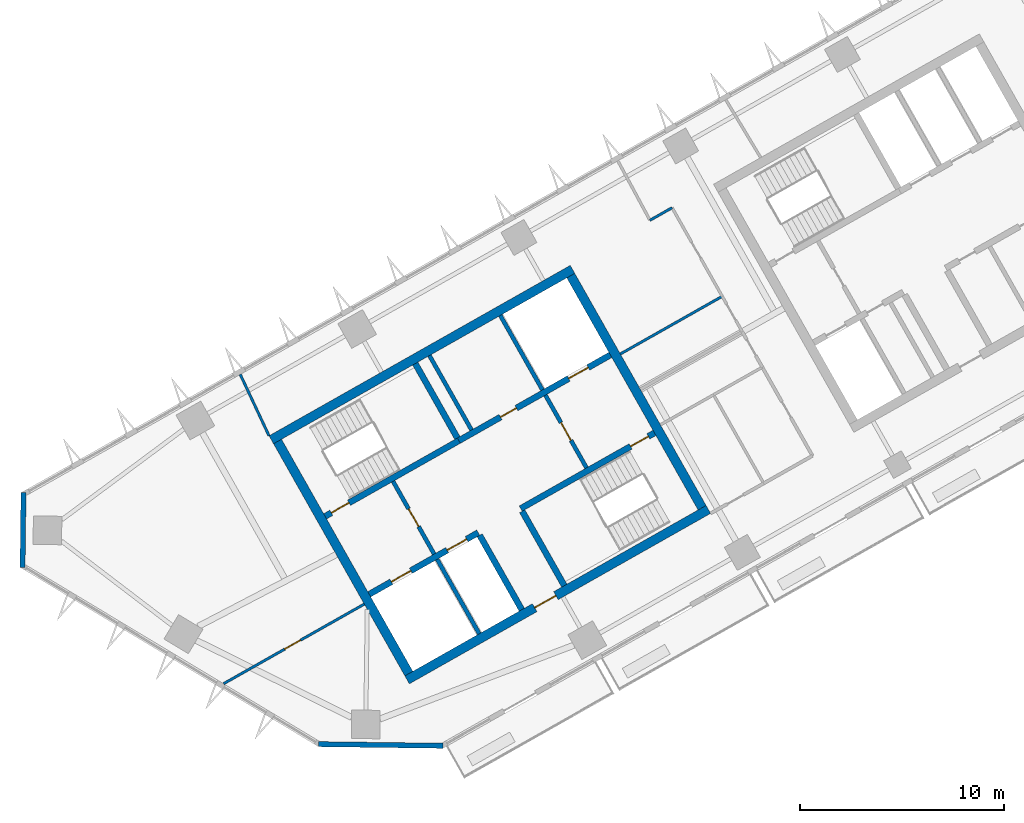
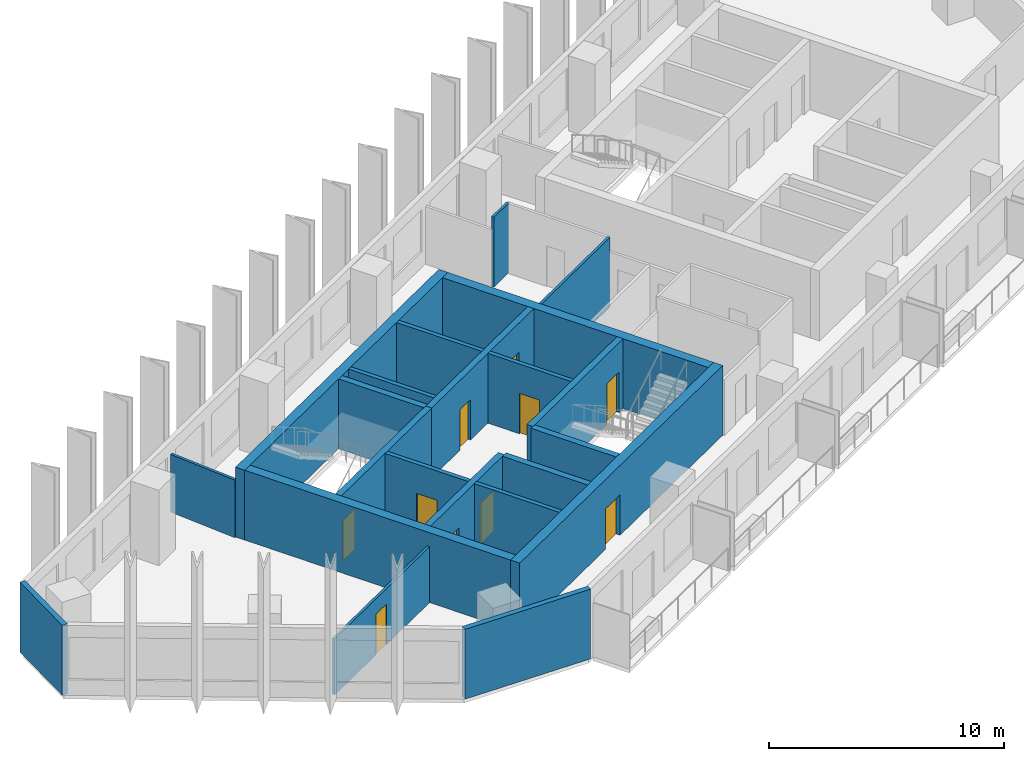
# One storey, part 3 of 12: 22 walls, 10 doors, 10 openings.
"""IFC4 building model written with IfcOpenShell, lengths in metres."""

from ifc_helpers import new_model, si_unit, direction, frame, frame_2d, origin, place, context, subcontext, project, spatial, rectangle, extrude, material, layer, layer_set, type_object, element, fill, save


model = new_model("IFC4")

# Units and contexts
model_context = context("Model", 3, precision=1e-05, world=origin(), true_north=direction((0.0, 1.0)))
body_context = subcontext(model_context, "Body", "Model", "MODEL_VIEW")
ifc_project = project(units=[si_unit("LENGTHUNIT", "METRE"), si_unit("AREAUNIT", "SQUARE_METRE"), si_unit("VOLUMEUNIT", "CUBIC_METRE"), si_unit("PLANEANGLEUNIT", "RADIAN"), si_unit("MASSUNIT", "GRAM", prefix="KILO")], contexts=[model_context])

# Site, building, storey
site_placement = place(None, origin())
site = spatial("IfcSite", under=ifc_project, at=site_placement, CompositionType="ELEMENT")
building_placement = place(site_placement, origin())
building = spatial("IfcBuilding", under=site, at=building_placement, Name="Binnacle Exchange Tower", CompositionType="ELEMENT")
storey_placement = place(building_placement, frame((0.0, 0.0, 215.300048828125)))
storey = spatial("IfcBuildingStorey", under=building, at=storey_placement, Name="L47", CompositionType="ELEMENT", Elevation=215.300048828125)

# Wall, openings, doors
ifc_material_1 = material(Name="Concrete C70/85", Category="concrete")
ifc_layer_1 = layer(ifc_material_1, 0.300048828125)
ifc_layer_set_1 = layer_set([ifc_layer_1], Name="Core wall - front 300")
wall_type_1 = type_object("IfcWallType", Name="Core wall - front 300", PredefinedType="SOLIDWALL", material=ifc_layer_set_1)
wall_1_placement = place(storey_placement, frame((-41.6865234375, 33.88720703125, 0.0), z_axis=(0.0, 0.0, 1.0), x_axis=(0.870355736587, 0.49242348826, 0.0)))
wall_1 = element("IfcWall", 1, at=wall_1_placement, inside=storey, type_object=wall_type_1, Name="Core wall CRWA2", PredefinedType="SOLIDWALL", context=body_context, shape_type="SweptSolid", body=[
    extrude(rectangle(XDim=6.14990234375, YDim=0.300048828125, at=frame_2d((3.074951171875, 0.0))), origin(), (0.0, 0.0, 1.0), 3.619873046875),
])
opening_1_placement = place(wall_1_placement, frame((1.25, 0.0, 0.0)))
opening_1 = element("IfcOpeningElement", 2, at=opening_1_placement, cuts=wall_1, Name="Opening LD12", PredefinedType="OPENING", context=body_context, shape_type="SweptSolid", body=[
    extrude(rectangle(XDim=1.10009765625, YDim=2.10009765625, at=frame_2d((0.550048828125, 1.050048828125))), frame((0.0, 0.159912109375, 0.0), z_axis=(0.0, -1.0, 0.0), x_axis=(1.0, 0.0, 0.0)), (0.0, 0.0, 1.0), 0.320068359375),
])
opening_2_placement = place(wall_1_placement, frame((4.39990234375, 0.0, 0.0)))
opening_2 = element("IfcOpeningElement", 3, at=opening_2_placement, cuts=wall_1, Name="Opening LD8", PredefinedType="OPENING", context=body_context, shape_type="SweptSolid", body=[
    extrude(rectangle(XDim=1.10009765625, YDim=2.10009765625, at=frame_2d((0.550048828125, 1.050048828125))), frame((0.0, 0.159912109375, 0.0), z_axis=(0.0, -1.0, 0.0), x_axis=(1.0, 0.0, 0.0)), (0.0, 0.0, 1.0), 0.320068359375),
])
ifc_material_2 = material(Name="Steel door leaf", Category="steel")
door_type_1 = type_object("IfcDoorType", Name="Fire door - lift landing 1100", OperationType="NOTDEFINED", PredefinedType="DOOR", material=ifc_material_2)
door_1_placement = place(opening_1_placement, origin())
door_1 = element("IfcDoor", 4, at=door_1_placement, inside=storey, type_object=door_type_1, Name="Landing door LD12 L47", OperationType="DOUBLE_DOOR_SLIDING", OverallHeight=2.10009765625, OverallWidth=1.10009765625, PredefinedType="DOOR", context=body_context, shape_type="SweptSolid", body=[
    extrude(rectangle(XDim=1.10009765625, YDim=2.10009765625, at=frame_2d((0.550048828125, 1.050048828125))), frame((0.0, 0.02490234375, 0.0), z_axis=(0.0, -1.0, 0.0), x_axis=(1.0, 0.0, 0.0)), (0.0, 0.0, 1.0), 0.050048828125),
])
fill(opening_1, door_1)
door_2_placement = place(opening_2_placement, origin())
door_2 = element("IfcDoor", 5, at=door_2_placement, inside=storey, type_object=door_type_1, Name="Landing door LD8 L47", OperationType="DOUBLE_DOOR_SLIDING", OverallHeight=2.10009765625, OverallWidth=1.10009765625, PredefinedType="DOOR", context=body_context, shape_type="SweptSolid", body=[
    extrude(rectangle(XDim=1.10009765625, YDim=2.10009765625, at=frame_2d((0.550048828125, 1.050048828125))), frame((0.0, 0.02490234375, 0.0), z_axis=(0.0, -1.0, 0.0), x_axis=(1.0, 0.0, 0.0)), (0.0, 0.0, 1.0), 0.050048828125),
])
fill(opening_2, door_2)

wall_2_placement = place(storey_placement, frame((-37.281982421875, 41.4345703125, 0.0), z_axis=(0.0, 0.0, 1.0), x_axis=(0.870352688754, 0.492428875248, 0.0)))
wall_2 = element("IfcWall", 6, at=wall_2_placement, inside=storey, type_object=wall_type_1, Name="Core wall CRWA5", PredefinedType="SOLIDWALL", context=body_context, shape_type="SweptSolid", body=[
    extrude(rectangle(XDim=8.5498046875, YDim=0.300048828125, at=frame_2d((4.27490234375, 0.0))), origin(), (0.0, 0.0, 1.0), 3.619873046875),
])
opening_3_placement = place(wall_2_placement, frame((6.199951171875, 0.0, 0.0)))
opening_3 = element("IfcOpeningElement", 7, at=opening_3_placement, cuts=wall_2, Name="Opening LD13", PredefinedType="OPENING", context=body_context, shape_type="SweptSolid", body=[
    extrude(rectangle(XDim=1.10009765625, YDim=2.10009765625, at=frame_2d((0.550048828125, 1.050048828125))), frame((0.0, 0.159912109375, 0.0), z_axis=(0.0, -1.0, 0.0), x_axis=(1.0, 0.0, 0.0)), (0.0, 0.0, 1.0), 0.320068359375),
])
opening_4_placement = place(wall_2_placement, frame((2.35009765625, 0.0, 0.0)))
opening_4 = element("IfcOpeningElement", 8, at=opening_4_placement, cuts=wall_2, Name="Opening DA10", PredefinedType="OPENING", context=body_context, shape_type="SweptSolid", body=[
    extrude(rectangle(XDim=0.89990234375, YDim=2.10009765625, at=frame_2d((0.449951171875, 1.050048828125))), frame((0.0, 0.159912109375, 0.0), z_axis=(0.0, -1.0, 0.0), x_axis=(1.0, 0.0, 0.0)), (0.0, 0.0, 1.0), 0.320068359375),
])
door_3_placement = place(opening_3_placement, origin())
door_3 = element("IfcDoor", 9, at=door_3_placement, inside=storey, type_object=door_type_1, Name="Landing door LD13 L47", OperationType="DOUBLE_DOOR_SLIDING", OverallHeight=2.10009765625, OverallWidth=1.10009765625, PredefinedType="DOOR", context=body_context, shape_type="SweptSolid", body=[
    extrude(rectangle(XDim=1.10009765625, YDim=2.10009765625, at=frame_2d((0.550048828125, 1.050048828125))), frame((0.0, 0.02490234375, 0.0), z_axis=(0.0, -1.0, 0.0), x_axis=(1.0, 0.0, 0.0)), (0.0, 0.0, 1.0), 0.050048828125),
])
fill(opening_3, door_3)
door_type_2 = type_object("IfcDoorType", Name="Fire door 900", OperationType="NOTDEFINED", PredefinedType="DOOR", material=ifc_material_2)
door_4_placement = place(opening_4_placement, origin())
door_4 = element("IfcDoor", 10, at=door_4_placement, inside=storey, type_object=door_type_2, Name="Core room door EQUIPMENT STORE", OperationType="SINGLE_SWING_LEFT", OverallHeight=2.10009765625, OverallWidth=0.89990234375, PredefinedType="DOOR", context=body_context, shape_type="SweptSolid", body=[
    extrude(rectangle(XDim=0.89990234375, YDim=2.10009765625, at=frame_2d((0.449951171875, 1.050048828125))), frame((0.0, 0.02490234375, 0.0), z_axis=(0.0, -1.0, 0.0), x_axis=(1.0, 0.0, 0.0)), (0.0, 0.0, 1.0), 0.050048828125),
])
fill(opening_4, door_4)

# Wall
wall_3_placement = place(storey_placement, frame((-36.260009765625, 36.784912109375, 0.0), z_axis=(0.0, 0.0, 1.0), x_axis=(0.492409653846, -0.870363563575, 0.0)))
element("IfcWall", 11, at=wall_3_placement, inside=storey, type_object=wall_type_1, Name="Core wall CRWA13", PredefinedType="SOLIDWALL", context=body_context, shape_type="SweptSolid", body=[
    extrude(rectangle(XDim=4.199951171875, YDim=0.300048828125, at=frame_2d((2.10009765625, 0.0))), origin(), (0.0, 0.0, 1.0), 3.619873046875),
])

# Wall, opening, door
ifc_layer_2 = layer(ifc_material_1, 0.449951171875)
ifc_layer_set_2 = layer_set([ifc_layer_2], Name="Core wall - outer 450")
wall_type_2 = type_object("IfcWallType", Name="Core wall - outer 450", PredefinedType="SOLIDWALL", material=ifc_layer_set_2)
wall_4_placement = place(storey_placement, frame((-39.825439453125, 29.68359375, 0.0), z_axis=(0.0, 0.0, 1.0), x_axis=(0.870353598469, 0.492427267353, 0.0)))
wall_4 = element("IfcWall", 12, at=wall_4_placement, inside=storey, type_object=wall_type_2, Name="Core wall CRWA1", PredefinedType="SOLIDWALL", context=body_context, shape_type="SweptSolid", body=[
    extrude(rectangle(XDim=17.000244140625, YDim=0.449951171875, at=frame_2d((8.5, 0.0))), origin(), (0.0, 0.0, 1.0), 3.619873046875),
])
opening_5_placement = place(wall_4_placement, frame((7.199951171875, 0.0, 0.0)))
opening_5 = element("IfcOpeningElement", 13, at=opening_5_placement, cuts=wall_4, Name="Opening DA7", PredefinedType="OPENING", context=body_context, shape_type="SweptSolid", body=[
    extrude(rectangle(XDim=1.199951171875, YDim=2.10009765625, at=frame_2d((0.60009765625, 1.050048828125))), frame((0.0, 0.23486328125, 0.0), z_axis=(0.0, -1.0, 0.0), x_axis=(1.0, 0.0, 0.0)), (0.0, 0.0, 1.0), 0.469970703125),
])
door_type_3 = type_object("IfcDoorType", Name="Fire door 1200", OperationType="NOTDEFINED", PredefinedType="DOOR", material=ifc_material_2)
door_5_placement = place(opening_5_placement, frame((1.199951171875, 0.0, 0.0), z_axis=(0.0, 0.0, 1.0), x_axis=(-1.0, 0.0, 0.0)))
door_5 = element("IfcDoor", 14, at=door_5_placement, inside=storey, type_object=door_type_3, Name="Lift lobby entrance door core A", OperationType="SINGLE_SWING_RIGHT", OverallHeight=2.10009765625, OverallWidth=1.199951171875, PredefinedType="DOOR", context=body_context, shape_type="SweptSolid", body=[
    extrude(rectangle(XDim=1.199951171875, YDim=2.10009765625, at=frame_2d((0.60009765625, 1.050048828125))), frame((0.0, 0.02490234375, 0.0), z_axis=(0.0, -1.0, 0.0), x_axis=(1.0, 0.0, 0.0)), (0.0, 0.0, 1.0), 0.050048828125),
])
fill(opening_5, door_5)

# Walls
wall_5_placement = place(storey_placement, frame((-46.497802734375, 41.47705078125, 0.0), z_axis=(0.0, 0.0, 1.0), x_axis=(0.870359753402, 0.492416388494, 0.0)))
element("IfcWall", 15, at=wall_5_placement, inside=storey, type_object=wall_type_2, Name="Core wall CRWA6", PredefinedType="SOLIDWALL", context=body_context, shape_type="SweptSolid", body=[
    extrude(rectangle(XDim=17.0, YDim=0.449951171875, at=frame_2d((8.5, 0.0))), origin(), (0.0, 0.0, 1.0), 3.619873046875),
])
for number, where, z_axis, x_axis, name in (
    (16, (-46.191162109375, 41.391845703125, 0.0), (0.0, 0.0, 1.0), (0.492421378713, -0.870356930107, 0.0), "Core wall CRWA7"),
    (17, (-31.78662109375, 49.54150390625, 0.0), (0.0, 0.0, 1.0), (0.492421378713, -0.870356930107, 0.0), "Core wall CRWA22"),
):
    element("IfcWall", number, at=place(storey_placement, frame(where, z_axis=z_axis, x_axis=x_axis)), inside=storey, type_object=wall_type_2, Name=name, PredefinedType="SOLIDWALL", context=body_context, shape_type="SweptSolid", body=[
        extrude(rectangle(XDim=13.099853515625, YDim=0.449951171875, at=frame_2d((6.5498046875, 0.0))), origin(), (0.0, 0.0, 1.0), 3.619873046875),
    ])

# Wall, opening, door
ifc_layer_3 = layer(ifc_material_1, 0.300048828125)
ifc_layer_set_3 = layer_set([ifc_layer_3], Name="Core wall - stair 300")
wall_type_3 = type_object("IfcWallType", Name="Core wall - stair 300", PredefinedType="SOLIDWALL", material=ifc_layer_set_3)
wall_6_placement = place(storey_placement, frame((-34.2451171875, 38.097412109375, 0.0), z_axis=(0.0, 0.0, 1.0), x_axis=(0.870360409231, 0.492415229297, 0.0)))
wall_6 = element("IfcWall", 18, at=wall_6_placement, inside=storey, type_object=wall_type_3, Name="Core wall CRWA3", PredefinedType="SOLIDWALL", context=body_context, shape_type="SweptSolid", body=[
    extrude(rectangle(XDim=7.550048828125, YDim=0.300048828125, at=frame_2d((3.77490234375, 0.0))), origin(), (0.0, 0.0, 1.0), 3.619873046875),
])
opening_6_placement = place(wall_6_placement, frame((6.199951171875, 0.0, 0.0)))
opening_6 = element("IfcOpeningElement", 19, at=opening_6_placement, cuts=wall_6, Name="Opening DA2", PredefinedType="OPENING", context=body_context, shape_type="SweptSolid", body=[
    extrude(rectangle(XDim=1.0, YDim=2.10009765625, at=frame_2d((0.5, 1.050048828125))), frame((0.0, 0.159912109375, 0.0), z_axis=(0.0, -1.0, 0.0), x_axis=(1.0, 0.0, 0.0)), (0.0, 0.0, 1.0), 0.320068359375),
])
door_type_4 = type_object("IfcDoorType", Name="Fire door 1000", OperationType="NOTDEFINED", PredefinedType="DOOR", material=ifc_material_2)
door_6_placement = place(opening_6_placement, frame((1.0, 0.0, 0.0), z_axis=(0.0, 0.0, 1.0), x_axis=(-1.0, 0.0, 0.0)))
door_6 = element("IfcDoor", 20, at=door_6_placement, inside=storey, type_object=door_type_4, Name="Stair door ST-A2", OperationType="SINGLE_SWING_LEFT", OverallHeight=2.10009765625, OverallWidth=1.0, PredefinedType="DOOR", context=body_context, shape_type="SweptSolid", body=[
    extrude(rectangle(XDim=1.0, YDim=2.10009765625, at=frame_2d((0.5, 1.050048828125))), frame((0.0, 0.02490234375, 0.0), z_axis=(0.0, -1.0, 0.0), x_axis=(1.0, 0.0, 0.0)), (0.0, 0.0, 1.0), 0.050048828125),
])
fill(opening_6, door_6)

wall_7_placement = place(storey_placement, frame((-43.853271484375, 37.716796875, 0.0), z_axis=(0.0, 0.0, 1.0), x_axis=(0.870360409231, 0.492415229297, 0.0)))
wall_7 = element("IfcWall", 21, at=wall_7_placement, inside=storey, type_object=wall_type_3, Name="Core wall CRWA4", PredefinedType="SOLIDWALL", context=body_context, shape_type="SweptSolid", body=[
    extrude(rectangle(XDim=7.550048828125, YDim=0.300048828125, at=frame_2d((3.77490234375, 0.0))), origin(), (0.0, 0.0, 1.0), 3.619873046875),
])
opening_7_placement = place(wall_7_placement, frame((0.35009765625, 0.0, 0.0)))
opening_7 = element("IfcOpeningElement", 22, at=opening_7_placement, cuts=wall_7, Name="Opening DA1", PredefinedType="OPENING", context=body_context, shape_type="SweptSolid", body=[
    extrude(rectangle(XDim=1.0, YDim=2.10009765625, at=frame_2d((0.5, 1.050048828125))), frame((0.0, 0.159912109375, 0.0), z_axis=(0.0, -1.0, 0.0), x_axis=(1.0, 0.0, 0.0)), (0.0, 0.0, 1.0), 0.320068359375),
])
door_7_placement = place(opening_7_placement, origin())
door_7 = element("IfcDoor", 23, at=door_7_placement, inside=storey, type_object=door_type_4, Name="Stair door ST-A1", OperationType="SINGLE_SWING_LEFT", OverallHeight=2.10009765625, OverallWidth=1.0, PredefinedType="DOOR", context=body_context, shape_type="SweptSolid", body=[
    extrude(rectangle(XDim=1.0, YDim=2.10009765625, at=frame_2d((0.5, 1.050048828125))), frame((0.0, 0.02490234375, 0.0), z_axis=(0.0, -1.0, 0.0), x_axis=(1.0, 0.0, 0.0)), (0.0, 0.0, 1.0), 0.050048828125),
])
fill(opening_7, door_7)

# Walls
for number, where, z_axis, x_axis, name in (
    (24, (-39.424072265625, 45.220458984375, 0.0), (0.0, 0.0, 1.0), (0.492409653846, -0.870363563575, 0.0), "Core wall CRWA14"),
    (25, (-34.171142578125, 37.966796875, 0.0), (0.0, 0.0, 1.0), (0.492409653846, -0.870363563575, 0.0), "Core wall CRWA16"),
):
    element("IfcWall", number, at=place(storey_placement, frame(where, z_axis=z_axis, x_axis=x_axis)), inside=storey, type_object=wall_type_3, Name=name, PredefinedType="SOLIDWALL", context=body_context, shape_type="SweptSolid", body=[
        extrude(rectangle(XDim=4.199951171875, YDim=0.300048828125, at=frame_2d((2.10009765625, 0.0))), origin(), (0.0, 0.0, 1.0), 3.619873046875),
    ])
ifc_material_3 = material(Name="Bronze aluminium cladding", Category="aluminium")
ifc_layer_4 = layer(ifc_material_3, 0.25)
ifc_layer_set_4 = layer_set([ifc_layer_4], Name="External wall - window wall 250")
wall_type_4 = type_object("IfcWallType", Name="External wall - window wall 250", PredefinedType="STANDARD", material=ifc_layer_set_4)
wall_8_placement = place(storey_placement, frame((-38.06396484375, 26.44482421875, 0.0), z_axis=(0.0, 0.0, 1.0), x_axis=(-0.999914239143, 0.013096349097, 0.0)))
element("IfcWall", 26, at=wall_8_placement, inside=storey, type_object=wall_type_4, Name="External wall EW-G00 L47", PredefinedType="STANDARD", context=body_context, shape_type="SweptSolid", body=[
    extrude(rectangle(XDim=6.114501953125, YDim=0.25, at=frame_2d((3.05712890625, 0.0))), origin(), (0.0, 0.0, 1.0), 3.619873046875),
])
wall_9_placement = place(storey_placement, frame((-58.717041015625, 35.208251953125, 0.0), z_axis=(0.0, 0.0, 1.0), x_axis=(0.01310512158, 0.999914124207, 0.0)))
element("IfcWall", 27, at=wall_9_placement, inside=storey, type_object=wall_type_4, Name="External wall EW-G09 L47", PredefinedType="STANDARD", context=body_context, shape_type="SweptSolid", body=[
    extrude(rectangle(XDim=3.669921875, YDim=0.25, at=frame_2d((1.8349609375, 0.0))), origin(), (0.0, 0.0, 1.0), 3.619873046875),
])

# Wall, opening, door
ifc_material_4 = material(Name="Masonry block wall", Category="masonry")
ifc_layer_5 = layer(ifc_material_4, 0.199951171875)
ifc_layer_set_5 = layer_set([ifc_layer_5], Name="Fire wall - vestibule 200")
wall_type_5 = type_object("IfcWallType", Name="Fire wall - vestibule 200", PredefinedType="PARTITIONING", material=ifc_layer_set_5)
wall_10_placement = place(storey_placement, frame((-40.515625, 39.4326171875, 0.0), z_axis=(0.0, 0.0, 1.0), x_axis=(0.492453559952, -0.87033872216, 0.0)))
wall_10 = element("IfcWall", 28, at=wall_10_placement, inside=storey, type_object=wall_type_5, Name="Core wall CRWA10", PredefinedType="PARTITIONING", context=body_context, shape_type="SweptSolid", body=[
    extrude(rectangle(XDim=4.099853515625, YDim=0.199951171875, at=frame_2d((2.0498046875, 0.0))), origin(), (0.0, 0.0, 1.0), 3.619873046875),
])
opening_8_placement = place(wall_10_placement, frame((1.550048828125, 0.0, 0.0)))
opening_8 = element("IfcOpeningElement", 29, at=opening_8_placement, cuts=wall_10, Name="Opening DA3", PredefinedType="OPENING", context=body_context, shape_type="SweptSolid", body=[
    extrude(rectangle(XDim=1.0, YDim=2.10009765625, at=frame_2d((0.5, 1.050048828125))), frame((0.0, 0.10986328125, 0.0), z_axis=(0.0, -1.0, 0.0), x_axis=(1.0, 0.0, 0.0)), (0.0, 0.0, 1.0), 0.219970703125),
])
door_8_placement = place(opening_8_placement, frame((1.0, 0.0, 0.0), z_axis=(0.0, 0.0, 1.0), x_axis=(-1.0, 0.0, 0.0)))
door_8 = element("IfcDoor", 30, at=door_8_placement, inside=storey, type_object=door_type_4, Name="Vestibule door VEST-W", OperationType="SINGLE_SWING_LEFT", OverallHeight=2.10009765625, OverallWidth=1.0, PredefinedType="DOOR", context=body_context, shape_type="SweptSolid", body=[
    extrude(rectangle(XDim=1.0, YDim=2.10009765625, at=frame_2d((0.5, 1.050048828125))), frame((0.0, 0.02490234375, 0.0), z_axis=(0.0, -1.0, 0.0), x_axis=(1.0, 0.0, 0.0)), (0.0, 0.0, 1.0), 0.050048828125),
])
fill(opening_8, door_8)

wall_11_placement = place(storey_placement, frame((-33.030517578125, 43.66748046875, 0.0), z_axis=(0.0, 0.0, 1.0), x_axis=(0.492408451753, -0.87036424366, 0.0)))
wall_11 = element("IfcWall", 31, at=wall_11_placement, inside=storey, type_object=wall_type_5, Name="Core wall CRWA19", PredefinedType="PARTITIONING", context=body_context, shape_type="SweptSolid", body=[
    extrude(rectangle(XDim=4.099853515625, YDim=0.199951171875, at=frame_2d((2.0498046875, 0.0))), origin(), (0.0, 0.0, 1.0), 3.619873046875),
])
opening_9_placement = place(wall_11_placement, frame((1.550048828125, 0.0, 0.0)))
opening_9 = element("IfcOpeningElement", 32, at=opening_9_placement, cuts=wall_11, Name="Opening DA4", PredefinedType="OPENING", context=body_context, shape_type="SweptSolid", body=[
    extrude(rectangle(XDim=1.0, YDim=2.10009765625, at=frame_2d((0.5, 1.050048828125))), frame((0.0, 0.10986328125, 0.0), z_axis=(0.0, -1.0, 0.0), x_axis=(1.0, 0.0, 0.0)), (0.0, 0.0, 1.0), 0.219970703125),
])
door_9_placement = place(opening_9_placement, origin())
door_9 = element("IfcDoor", 33, at=door_9_placement, inside=storey, type_object=door_type_4, Name="Vestibule door VEST-E", OperationType="SINGLE_SWING_RIGHT", OverallHeight=2.10009765625, OverallWidth=1.0, PredefinedType="DOOR", context=body_context, shape_type="SweptSolid", body=[
    extrude(rectangle(XDim=1.0, YDim=2.10009765625, at=frame_2d((0.5, 1.050048828125))), frame((0.0, 0.02490234375, 0.0), z_axis=(0.0, -1.0, 0.0), x_axis=(1.0, 0.0, 0.0)), (0.0, 0.0, 1.0), 0.050048828125),
])
fill(opening_9, door_9)

ifc_material_5 = material(Name="Gypsum partition")
ifc_layer_6 = layer(ifc_material_5, 0.125)
ifc_layer_set_6 = layer_set([ifc_layer_6], Name="Partition 125")
wall_type_6 = type_object("IfcWallType", Name="Partition 125", PredefinedType="PARTITIONING", material=ifc_layer_set_6)
wall_12_placement = place(storey_placement, frame((-48.843017578125, 29.493896484375, 0.0), z_axis=(0.0, 0.0, 1.0), x_axis=(0.870384139606, 0.492373282705, 0.0)))
wall_12 = element("IfcWall", 34, at=wall_12_placement, inside=storey, type_object=wall_type_6, Name="Partition W01", PredefinedType="PARTITIONING", context=body_context, shape_type="SweptSolid", body=[
    extrude(rectangle(XDim=7.94140625, YDim=0.125, at=frame_2d((3.970703125, 0.0))), origin(), (0.0, 0.0, 1.0), 2.89990234375),
])
opening_10_placement = place(wall_12_placement, frame((3.449951171875, 0.0, 0.0)))
opening_10 = element("IfcOpeningElement", 35, at=opening_10_placement, cuts=wall_12, Name="Opening DL45-01", PredefinedType="OPENING", context=body_context, shape_type="SweptSolid", body=[
    extrude(rectangle(XDim=0.89990234375, YDim=2.10009765625, at=frame_2d((0.449951171875, 1.050048828125))), frame((0.0, 0.072509765625, 0.0), z_axis=(0.0, -1.0, 0.0), x_axis=(1.0, 0.0, 0.0)), (0.0, 0.0, 1.0), 0.14501953125),
])
ifc_material_6 = material(Name="Timber door leaf", Category="wood")
door_type_5 = type_object("IfcDoorType", Name="Door 900", OperationType="NOTDEFINED", PredefinedType="DOOR", material=ifc_material_6)
door_10_placement = place(opening_10_placement, origin())
door_10 = element("IfcDoor", 36, at=door_10_placement, inside=storey, type_object=door_type_5, Name="Door DL45-01", OperationType="SINGLE_SWING_LEFT", OverallHeight=2.10009765625, OverallWidth=0.89990234375, PredefinedType="DOOR", context=body_context, shape_type="SweptSolid", body=[
    extrude(rectangle(XDim=0.89990234375, YDim=2.10009765625, at=frame_2d((0.449951171875, 1.050048828125))), frame((0.0, 0.02490234375, 0.0), z_axis=(0.0, -1.0, 0.0), x_axis=(1.0, 0.0, 0.0)), (0.0, 0.0, 1.0), 0.050048828125),
])
fill(opening_10, door_10)

# Walls
wall_13_placement = place(storey_placement, frame((-48.02197265625, 44.68701171875, 0.0), z_axis=(0.0, 0.0, 1.0), x_axis=(0.424510917438, -0.905422818895, 0.0)))
element("IfcWall", 37, at=wall_13_placement, inside=storey, type_object=wall_type_6, Name="Partition W02", PredefinedType="PARTITIONING", context=body_context, shape_type="SweptSolid", body=[
    extrude(rectangle(XDim=3.328857421875, YDim=0.125, at=frame_2d((1.66455078125, 0.0))), origin(), (0.0, 0.0, 1.0), 2.988037109375),
])
wall_14_placement = place(storey_placement, frame((-29.35009765625, 45.69189453125, 0.0), z_axis=(0.0, 0.0, 1.0), x_axis=(0.870294630003, 0.492531478169, 0.0)))
element("IfcWall", 38, at=wall_14_placement, inside=storey, type_object=wall_type_6, Name="Partition W04", PredefinedType="PARTITIONING", context=body_context, shape_type="SweptSolid", body=[
    extrude(rectangle(XDim=5.75, YDim=0.125, at=frame_2d((2.875, 0.0))), origin(), (0.0, 0.0, 1.0), 3.619873046875),
])
wall_15_placement = place(storey_placement, frame((-27.89599609375, 52.260009765625, 0.0), z_axis=(0.0, 0.0, 1.0), x_axis=(0.870195245452, 0.492707047638, 0.0)))
element("IfcWall", 39, at=wall_15_placement, inside=storey, type_object=wall_type_6, Name="Partition W06", PredefinedType="PARTITIONING", context=body_context, shape_type="SweptSolid", body=[
    extrude(rectangle(XDim=1.250244140625, YDim=0.125, at=frame_2d((0.625, 0.0))), origin(), (0.0, 0.0, 1.0), 3.619873046875),
])
ifc_layer_7 = layer(ifc_material_4, 0.199951171875)
ifc_layer_set_7 = layer_set([ifc_layer_7], Name="Riser wall 200")
wall_type_7 = type_object("IfcWallType", Name="Riser wall 200", PredefinedType="SOLIDWALL", material=ifc_layer_set_7)
wall_16_placement = place(storey_placement, frame((-38.727783203125, 45.614501953125, 0.0), z_axis=(0.0, 0.0, 1.0), x_axis=(0.492409653846, -0.870363563575, 0.0)))
element("IfcWall", 40, at=wall_16_placement, inside=storey, type_object=wall_type_7, Name="Core wall CRWA15", PredefinedType="SOLIDWALL", context=body_context, shape_type="SweptSolid", body=[
    extrude(rectangle(XDim=4.199951171875, YDim=0.199951171875, at=frame_2d((2.10009765625, 0.0))), origin(), (0.0, 0.0, 1.0), 3.619873046875),
])
ifc_layer_8 = layer(ifc_material_4, 0.199951171875)
ifc_layer_set_8 = layer_set([ifc_layer_8], Name="Shaft wall 200")
wall_type_8 = type_object("IfcWallType", Name="Shaft wall 200", PredefinedType="SOLIDWALL", material=ifc_layer_set_8)
for number, where, z_axis, x_axis, name in (
    (41, (-38.348876953125, 35.603271484375, 0.0), (0.0, 0.0, 1.0), (0.492409653846, -0.870363563575, 0.0), "Core wall CRWA9"),
    (42, (-35.246337890625, 47.584228515625, 0.0), (0.0, 0.0, 1.0), (0.492409653846, -0.870363563575, 0.0), "Core wall CRWA21"),
):
    element("IfcWall", number, at=place(storey_placement, frame(where, z_axis=z_axis, x_axis=x_axis)), inside=storey, type_object=wall_type_8, Name=name, PredefinedType="SOLIDWALL", context=body_context, shape_type="SweptSolid", body=[
        extrude(rectangle(XDim=4.199951171875, YDim=0.199951171875, at=frame_2d((2.10009765625, 0.0))), origin(), (0.0, 0.0, 1.0), 3.619873046875),
    ])

save(model, "model.ifc")
